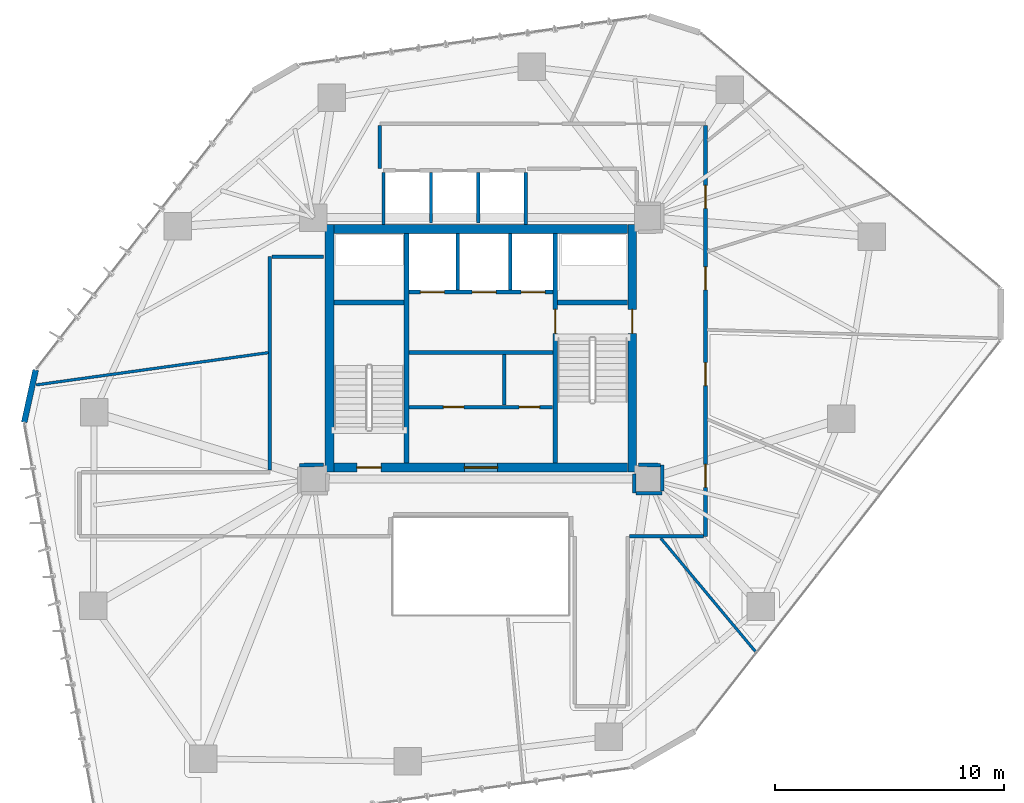
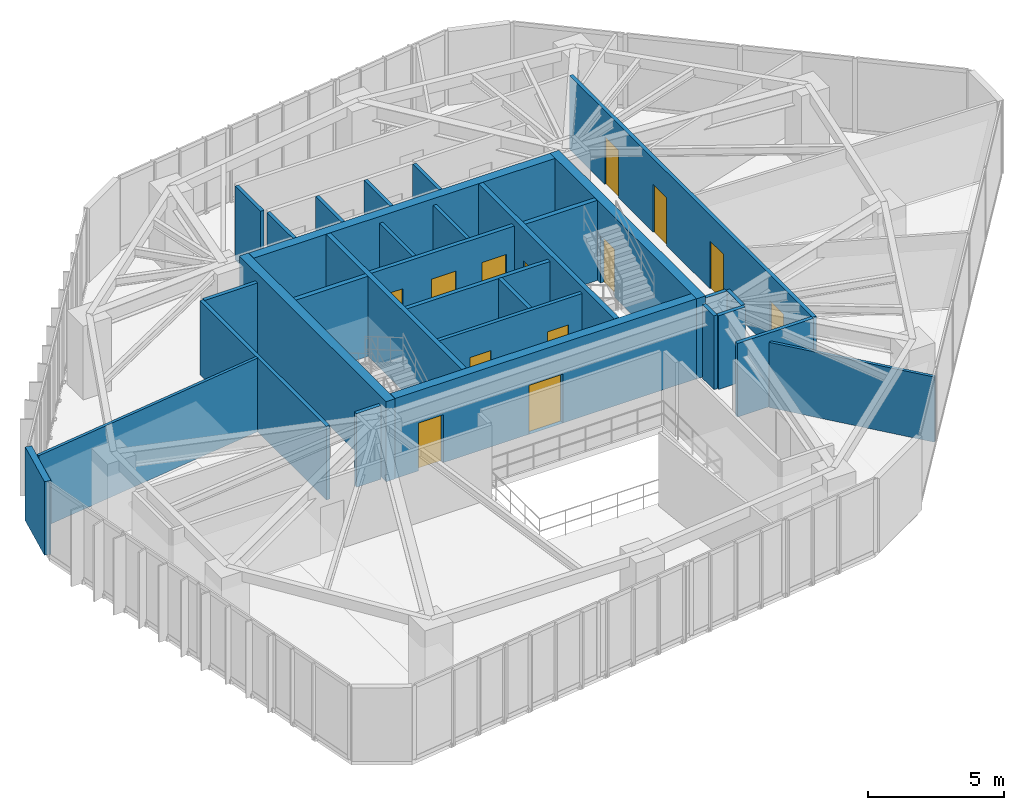
# One storey, part 19 of 24: 31 walls, 13 doors, 13 openings.
"""IFC4 building model written with IfcOpenShell, lengths in metres."""

from ifc_helpers import new_model, si_unit, direction, frame, frame_2d, origin, place, context, subcontext, project, spatial, rectangle, extrude, source, transform, mapped, material, layer, layer_set, type_object, type_shapes, element, fill, save


model = new_model("IFC4")

# Units and contexts
model_context = context("Model", 3, precision=1e-05, world=origin(), true_north=direction((0.0, 1.0)))
body_context = subcontext(model_context, "Body", "Model", "MODEL_VIEW")
ifc_project = project(units=[si_unit("LENGTHUNIT", "METRE"), si_unit("AREAUNIT", "SQUARE_METRE"), si_unit("VOLUMEUNIT", "CUBIC_METRE"), si_unit("PLANEANGLEUNIT", "RADIAN"), si_unit("MASSUNIT", "GRAM", prefix="KILO")], contexts=[model_context])

# Site, building, storey
site_placement = place(None, origin())
site = spatial("IfcSite", under=ifc_project, at=site_placement, CompositionType="ELEMENT")
building_placement = place(site_placement, origin())
building = spatial("IfcBuilding", under=site, at=building_placement, Name="Talar Marvaseh", CompositionType="ELEMENT")
storey_placement = place(building_placement, frame((0.0, 0.0, 114.60009765625)))
storey = spatial("IfcBuildingStorey", under=building, at=storey_placement, Name="L29", CompositionType="ELEMENT", Elevation=114.60009765625)

# Wall
ifc_material_1 = material(Name="Precast concrete C45/55", Category="concrete")
ifc_layer_1 = layer(ifc_material_1, 0.2548828125)
ifc_layer_set_1 = layer_set([ifc_layer_1], Name="Precast concrete C45/55")
wall_type_1 = type_object("IfcWallType", Name="Chamfered Hexagonal Corner Pier Wall Z2 255", PredefinedType="SOLIDWALL", material=ifc_layer_set_1)
wall_1_placement = place(storey_placement, frame((6.08837890625, 27.973876953125, 0.0), z_axis=(0.0, 0.0, 1.0), x_axis=(0.214234975256, 0.97678215349, 0.0)))
element("IfcWall", 1, at=wall_1_placement, inside=storey, type_object=wall_type_1, Name="L29 Chamfered Corner Limestone Pier 2", PredefinedType="SOLIDWALL", context=body_context, shape_type="SweptSolid", body=[
    extrude(rectangle(XDim=2.3408203125, YDim=0.2548828125, at=frame_2d((1.17041015625, 0.0))), origin(), (0.0, 0.0, 1.0), 3.309814453125),
])

# Wall, openings, doors
ifc_material_2 = material(Name="Gypsum Board Partition Assembly")
ifc_layer_2 = layer(ifc_material_2, 0.155029296875)
ifc_layer_set_2 = layer_set([ifc_layer_2], Name="Gypsum Board Partition Assembly")
wall_type_2 = type_object("IfcWallType", Name="Corridor Fire-Rated Acoustic Partition 155", PredefinedType="PARTITIONING", material=ifc_layer_set_2)
wall_2_placement = place(storey_placement, frame((22.865966796875, 28.639892578125, 0.0), z_axis=(0.0, 0.0, 1.0), x_axis=(1.0, 0.0, 0.0)))
wall_2 = element("IfcWall", 2, at=wall_2_placement, inside=storey, type_object=wall_type_2, Name="L29 Core BOH Partition", PredefinedType="PARTITIONING", context=body_context, shape_type="SweptSolid", body=[
    extrude(rectangle(XDim=6.26806640625, YDim=0.155029296875, at=frame_2d((3.134033203125, 0.0))), origin(), (0.0, 0.0, 1.0), 3.309814453125),
])
opening_1_placement = place(wall_2_placement, frame((1.5, 0.0, 0.0)))
opening_1 = element("IfcOpeningElement", 3, at=opening_1_placement, cuts=wall_2, Name="Opening DR-BOH090", PredefinedType="OPENING", context=body_context, shape_type="SweptSolid", body=[
    extrude(rectangle(XDim=0.89990234375, YDim=2.10009765625, at=frame_2d((0.449951171875, 1.050048828125))), frame((0.0, 0.08740234375, 0.0), z_axis=(0.0, -1.0, 0.0), x_axis=(1.0, 0.0, 0.0)), (0.0, 0.0, 1.0), 0.175048828125),
])
opening_2_placement = place(wall_2_placement, frame((4.800048828125, 0.0, 0.0)))
opening_2 = element("IfcOpeningElement", 4, at=opening_2_placement, cuts=wall_2, Name="Opening DR-BOH090", PredefinedType="OPENING", context=body_context, shape_type="SweptSolid", body=[
    extrude(rectangle(XDim=0.89990234375, YDim=2.10009765625, at=frame_2d((0.449951171875, 1.050048828125))), frame((0.0, 0.08740234375, 0.0), z_axis=(0.0, -1.0, 0.0), x_axis=(1.0, 0.0, 0.0)), (0.0, 0.0, 1.0), 0.175048828125),
])
ifc_material_3 = material(Name="Fire-Rated Steel Door Leaf", Category="steel")
door_type_1 = type_object("IfcDoorType", Name="Core Back-of-House Service Door 900x2100", OperationType="NOTDEFINED", PredefinedType="DOOR", material=ifc_material_3)
shared_shape_1 = source(origin(), body_context, "Body", "SweptSolid", [
    extrude(rectangle(XDim=0.89990234375, YDim=2.10009765625, at=frame_2d((0.449951171875, 1.050048828125))), frame((0.0, 0.02490234375, 0.0), z_axis=(0.0, -1.0, 0.0), x_axis=(1.0, 0.0, 0.0)), (0.0, 0.0, 1.0), 0.050048828125),
])
type_shapes(door_type_1, [shared_shape_1])
door_1_placement = place(opening_1_placement, origin())
door_1 = element("IfcDoor", 5, at=door_1_placement, inside=storey, type_object=door_type_1, Name="L29 Plant Core Comms Switch Room Door", OperationType="SINGLE_SWING_LEFT", OverallHeight=2.10009765625, OverallWidth=0.89990234375, PredefinedType="DOOR", context=body_context, shape_type="MappedRepresentation", body=[
    mapped(shared_shape_1, transform((0.0, 0.0, 0.0), x_axis=(1.0, 0.0, 0.0), y_axis=(0.0, 1.0, 0.0), z_axis=(0.0, 0.0, 1.0), scale=1.0)),
])
fill(opening_1, door_1)
door_2_placement = place(opening_2_placement, origin())
door_2 = element("IfcDoor", 6, at=door_2_placement, inside=storey, type_object=door_type_1, Name="L29 Cleaner Cupboard Door", OperationType="SINGLE_SWING_RIGHT", OverallHeight=2.10009765625, OverallWidth=0.89990234375, PredefinedType="DOOR", context=body_context, shape_type="MappedRepresentation", body=[
    mapped(shared_shape_1, transform((0.0, 0.0, 0.0), x_axis=(1.0, 0.0, 0.0), y_axis=(0.0, 1.0, 0.0), z_axis=(0.0, 0.0, 1.0), scale=1.0)),
])
fill(opening_2, door_2)

# Wall
wall_3_placement = place(storey_placement, frame((27.02001953125, 28.719970703125, 0.0), z_axis=(0.0, 0.0, 1.0), x_axis=(0.0, 1.0, 0.0)))
element("IfcWall", 7, at=wall_3_placement, inside=storey, type_object=wall_type_2, Name="L29 Core BOH Partition", PredefinedType="PARTITIONING", context=body_context, shape_type="SweptSolid", body=[
    extrude(rectangle(XDim=2.219970703125, YDim=0.155029296875, at=frame_2d((1.10986328125, 0.0))), origin(), (0.0, 0.0, 1.0), 3.309814453125),
])

# Wall, openings, doors
wall_4_placement = place(storey_placement, frame((35.800048828125, 40.91650390625, 0.0), z_axis=(0.0, 0.0, 1.0), x_axis=(0.0, -1.0, 0.0)))
wall_4 = element("IfcWall", 8, at=wall_4_placement, inside=storey, type_object=wall_type_2, Name="L29 Interior Partition Wall", PredefinedType="PARTITIONING", context=body_context, shape_type="SweptSolid", body=[
    extrude(rectangle(XDim=17.91650390625, YDim=0.155029296875, at=frame_2d((8.958251953125, 0.0))), origin(), (0.0, 0.0, 1.0), 3.309814453125),
])
opening_3_placement = place(wall_4_placement, frame((14.77587890625, 0.0, 0.0)))
opening_3 = element("IfcOpeningElement", 9, at=opening_3_placement, cuts=wall_4, Name="Opening DR-RM100", PredefinedType="OPENING", context=body_context, shape_type="SweptSolid", body=[
    extrude(rectangle(XDim=1.0, YDim=2.14990234375, at=frame_2d((0.5, 1.074951171875))), frame((0.0, 0.08740234375, 0.0), z_axis=(0.0, -1.0, 0.0), x_axis=(1.0, 0.0, 0.0)), (0.0, 0.0, 1.0), 0.175048828125),
])
opening_4_placement = place(wall_4_placement, frame((10.34521484375, 0.0, 0.0)))
opening_4 = element("IfcOpeningElement", 10, at=opening_4_placement, cuts=wall_4, Name="Opening DR-RM100", PredefinedType="OPENING", context=body_context, shape_type="SweptSolid", body=[
    extrude(rectangle(XDim=1.0, YDim=2.14990234375, at=frame_2d((0.5, 1.074951171875))), frame((0.0, 0.08740234375, 0.0), z_axis=(0.0, -1.0, 0.0), x_axis=(1.0, 0.0, 0.0)), (0.0, 0.0, 1.0), 0.175048828125),
])
opening_5_placement = place(wall_4_placement, frame((6.162841796875, 0.0, 0.0)))
opening_5 = element("IfcOpeningElement", 11, at=opening_5_placement, cuts=wall_4, Name="Opening DR-RM100", PredefinedType="OPENING", context=body_context, shape_type="SweptSolid", body=[
    extrude(rectangle(XDim=1.0, YDim=2.14990234375, at=frame_2d((0.5, 1.074951171875))), frame((0.0, 0.08740234375, 0.0), z_axis=(0.0, -1.0, 0.0), x_axis=(1.0, 0.0, 0.0)), (0.0, 0.0, 1.0), 0.175048828125),
])
opening_6_placement = place(wall_4_placement, frame((2.610595703125, 0.0, 0.0)))
opening_6 = element("IfcOpeningElement", 12, at=opening_6_placement, cuts=wall_4, Name="Opening DR-RM100", PredefinedType="OPENING", context=body_context, shape_type="SweptSolid", body=[
    extrude(rectangle(XDim=1.0, YDim=2.14990234375, at=frame_2d((0.5, 1.074951171875))), frame((0.0, 0.08740234375, 0.0), z_axis=(0.0, -1.0, 0.0), x_axis=(1.0, 0.0, 0.0)), (0.0, 0.0, 1.0), 0.175048828125),
])
ifc_material_4 = material(Name="Acoustic Engineered Oak Timber", Category="wood")
door_type_2 = type_object("IfcDoorType", Name="Corridor Fire-Rated Gallery Door 1000x2150", OperationType="NOTDEFINED", PredefinedType="DOOR", material=ifc_material_4)
shared_shape_2 = source(origin(), body_context, "Body", "SweptSolid", [
    extrude(rectangle(XDim=1.0, YDim=2.14990234375, at=frame_2d((0.5, 1.074951171875))), frame((0.0, 0.02490234375, 0.0), z_axis=(0.0, -1.0, 0.0), x_axis=(1.0, 0.0, 0.0)), (0.0, 0.0, 1.0), 0.050048828125),
])
type_shapes(door_type_2, [shared_shape_2])
door_3_placement = place(opening_3_placement, origin())
door_3 = element("IfcDoor", 13, at=door_3_placement, inside=storey, type_object=door_type_2, Name="L29 Archival Research Office Door", OperationType="SINGLE_SWING_RIGHT", OverallHeight=2.14990234375, OverallWidth=1.0, PredefinedType="DOOR", context=body_context, shape_type="MappedRepresentation", body=[
    mapped(shared_shape_2, transform((0.0, 0.0, 0.0), x_axis=(1.0, 0.0, 0.0), y_axis=(0.0, 1.0, 0.0), z_axis=(0.0, 0.0, 1.0), scale=1.0)),
])
fill(opening_3, door_3)
door_4_placement = place(opening_4_placement, origin())
door_4 = element("IfcDoor", 14, at=door_4_placement, inside=storey, type_object=door_type_2, Name="L29 Visitor Orientation Foyer Door", OperationType="SINGLE_SWING_LEFT", OverallHeight=2.14990234375, OverallWidth=1.0, PredefinedType="DOOR", context=body_context, shape_type="MappedRepresentation", body=[
    mapped(shared_shape_2, transform((0.0, 0.0, 0.0), x_axis=(1.0, 0.0, 0.0), y_axis=(0.0, 1.0, 0.0), z_axis=(0.0, 0.0, 1.0), scale=1.0)),
])
fill(opening_4, door_4)
door_5_placement = place(opening_5_placement, origin())
door_5 = element("IfcDoor", 15, at=door_5_placement, inside=storey, type_object=door_type_2, Name="L29 Cultural Fellowship Office Door", OperationType="SINGLE_SWING_RIGHT", OverallHeight=2.14990234375, OverallWidth=1.0, PredefinedType="DOOR", context=body_context, shape_type="MappedRepresentation", body=[
    mapped(shared_shape_2, transform((0.0, 0.0, 0.0), x_axis=(1.0, 0.0, 0.0), y_axis=(0.0, 1.0, 0.0), z_axis=(0.0, 0.0, 1.0), scale=1.0)),
])
fill(opening_5, door_5)
door_6_placement = place(opening_6_placement, origin())
door_6 = element("IfcDoor", 16, at=door_6_placement, inside=storey, type_object=door_type_2, Name="L29 Scholars' Registration Reception Door", OperationType="SINGLE_SWING_LEFT", OverallHeight=2.14990234375, OverallWidth=1.0, PredefinedType="DOOR", context=body_context, shape_type="MappedRepresentation", body=[
    mapped(shared_shape_2, transform((0.0, 0.0, 0.0), x_axis=(1.0, 0.0, 0.0), y_axis=(0.0, 1.0, 0.0), z_axis=(0.0, 0.0, 1.0), scale=1.0)),
])
fill(opening_6, door_6)

# Walls
wall_5_placement = place(storey_placement, frame((16.800048828125, 25.883544921875, 0.0), z_axis=(0.0, 0.0, 1.0), x_axis=(0.0, 1.0, 0.0)))
element("IfcWall", 17, at=wall_5_placement, inside=storey, type_object=wall_type_2, Name="L29 Interior Partition Wall", PredefinedType="PARTITIONING", context=body_context, shape_type="SweptSolid", body=[
    extrude(rectangle(XDim=9.31640625, YDim=0.155029296875, at=frame_2d((4.658203125, 0.0))), origin(), (0.0, 0.0, 1.0), 3.309814453125),
])
wall_6_placement = place(storey_placement, frame((16.883544921875, 35.199951171875, 0.0), z_axis=(0.0, 0.0, 1.0), x_axis=(1.0, 0.0, 0.0)))
element("IfcWall", 18, at=wall_6_placement, inside=storey, type_object=wall_type_2, Name="L29 Interior Partition Wall", PredefinedType="PARTITIONING", context=body_context, shape_type="SweptSolid", body=[
    extrude(rectangle(XDim=2.246337890625, YDim=0.155029296875, at=frame_2d((1.123046875, 0.0))), origin(), (0.0, 0.0, 1.0), 3.309814453125),
])
wall_7_placement = place(storey_placement, frame((19.1298828125, 26.114990234375, 0.0), z_axis=(0.0, 0.0, 1.0), x_axis=(-0.999986702653, -0.005156987215, 0.0)))
element("IfcWall", 19, at=wall_7_placement, inside=storey, type_object=wall_type_2, Name="L29 Interior Partition Wall", PredefinedType="PARTITIONING", context=body_context, shape_type="SweptSolid", body=[
    extrude(rectangle(XDim=1.04150390625, YDim=0.155029296875, at=frame_2d((0.520751953125, 0.0))), origin(), (0.0, 0.0, 1.0), 3.309814453125),
])
wall_8_placement = place(storey_placement, frame((32.68505859375, 25.72998046875, 0.0), z_axis=(0.0, 0.0, 1.0), x_axis=(0.006382231486, -0.999979633353, 0.0)))
element("IfcWall", 20, at=wall_8_placement, inside=storey, type_object=wall_type_2, Name="L29 Interior Partition Wall", PredefinedType="PARTITIONING", context=body_context, shape_type="SweptSolid", body=[
    extrude(rectangle(XDim=0.841552734375, YDim=0.155029296875, at=frame_2d((0.4208984375, 0.0))), origin(), (0.0, 0.0, 1.0), 3.309814453125),
])
wall_9_placement = place(storey_placement, frame((32.77392578125, 24.88818359375, 0.0), z_axis=(0.0, 0.0, 1.0), x_axis=(0.999999164303, -0.001292823742, 0.0)))
element("IfcWall", 21, at=wall_9_placement, inside=storey, type_object=wall_type_2, Name="L29 Interior Partition Wall", PredefinedType="PARTITIONING", context=body_context, shape_type="SweptSolid", body=[
    extrude(rectangle(XDim=1.133056640625, YDim=0.155029296875, at=frame_2d((0.56640625, 0.0))), origin(), (0.0, 0.0, 1.0), 3.309814453125),
])
wall_10_placement = place(storey_placement, frame((33.907470703125, 24.97021484375, 0.0), z_axis=(0.0, 0.0, 1.0), x_axis=(0.003642572792, 0.99999336581, 0.0)))
element("IfcWall", 22, at=wall_10_placement, inside=storey, type_object=wall_type_2, Name="L29 Interior Partition Wall", PredefinedType="PARTITIONING", context=body_context, shape_type="SweptSolid", body=[
    extrude(rectangle(XDim=1.139404296875, YDim=0.155029296875, at=frame_2d((0.56982421875, 0.0))), origin(), (0.0, 0.0, 1.0), 3.309814453125),
])
wall_11_placement = place(storey_placement, frame((33.828125, 26.110107421875, 0.0), z_axis=(0.0, 0.0, 1.0), x_axis=(-0.999987011364, 0.005096773758, 0.0)))
element("IfcWall", 23, at=wall_11_placement, inside=storey, type_object=wall_type_2, Name="L29 Interior Partition Wall", PredefinedType="PARTITIONING", context=body_context, shape_type="SweptSolid", body=[
    extrude(rectangle(XDim=0.9580078125, YDim=0.155029296875, at=frame_2d((0.47900390625, 0.0))), origin(), (0.0, 0.0, 1.0), 3.309814453125),
])
wall_12_placement = place(storey_placement, frame((21.60009765625, 39.0400390625, 0.0), z_axis=(0.0, 0.0, 1.0), x_axis=(0.0, 1.0, 0.0)))
element("IfcWall", 24, at=wall_12_placement, inside=storey, type_object=wall_type_2, Name="L29 Interior Partition Wall", PredefinedType="PARTITIONING", context=body_context, shape_type="SweptSolid", body=[
    extrude(rectangle(XDim=1.87646484375, YDim=0.155029296875, at=frame_2d((0.938232421875, 0.0))), origin(), (0.0, 0.0, 1.0), 3.309814453125),
])
wall_13_placement = place(storey_placement, frame((35.716552734375, 23.0, 0.0), z_axis=(0.0, 0.0, 1.0), x_axis=(-1.0, 0.0, 0.0)))
element("IfcWall", 25, at=wall_13_placement, inside=storey, type_object=wall_type_2, Name="L29 Interior Partition Wall", PredefinedType="PARTITIONING", context=body_context, shape_type="SweptSolid", body=[
    extrude(rectangle(XDim=3.233154296875, YDim=0.155029296875, at=frame_2d((1.61669921875, 0.0))), origin(), (0.0, 0.0, 1.0), 3.309814453125),
])
ifc_layer_3 = layer(ifc_material_2, 0.1201171875)
ifc_layer_set_3 = layer_set([ifc_layer_3], Name="Gypsum Board Partition Assembly")
wall_type_3 = type_object("IfcWallType", Name="Demountable Studio Room Partition 120", PredefinedType="PARTITIONING", material=ifc_layer_set_3)
wall_14_placement = place(storey_placement, frame((6.610107421875, 29.6044921875, 0.0), z_axis=(0.0, 0.0, 1.0), x_axis=(0.99048992278, 0.137585293078, 0.0)))
element("IfcWall", 26, at=wall_14_placement, inside=storey, type_object=wall_type_3, Name="L29 Interior Partition Wall", PredefinedType="PARTITIONING", context=body_context, shape_type="SweptSolid", body=[
    extrude(rectangle(XDim=10.22265625, YDim=0.1201171875, at=frame_2d((5.111328125, 0.0))), origin(), (0.0, 0.0, 1.0), 3.309814453125),
])
wall_15_placement = place(storey_placement, frame((33.849853515625, 22.91650390625, 0.0), z_axis=(0.0, 0.0, 1.0), x_axis=(0.641084622327, -0.767470199432, 0.0)))
element("IfcWall", 27, at=wall_15_placement, inside=storey, type_object=wall_type_3, Name="L29 Interior Partition Wall", PredefinedType="PARTITIONING", context=body_context, shape_type="SweptSolid", body=[
    extrude(rectangle(XDim=6.47900390625, YDim=0.1201171875, at=frame_2d((3.239501953125, 0.0))), origin(), (0.0, 0.0, 1.0), 2.927001953125),
])
ifc_layer_4 = layer(ifc_material_1, 0.14501953125)
ifc_layer_set_4 = layer_set([ifc_layer_4], Name="Precast concrete C45/55")
wall_type_4 = type_object("IfcWallType", Name="Fire-Rated Lift Divider Wall 145", PredefinedType="SOLIDWALL", material=ifc_layer_set_4)
for number, where, z_axis, x_axis, name in (
    (28, (25.0, 33.743408203125, 0.0), (0.0, 0.0, 1.0), (0.0, 1.0, 0.0), "L29 FFL-1/FFL-2 Divider"),
    (29, (27.280029296875, 33.743408203125, 0.0), (0.0, 0.0, 1.0), (0.0, 1.0, 0.0), "L29 FFL-2/SVL-1 Divider"),
):
    element("IfcWall", number, at=place(storey_placement, frame(where, z_axis=z_axis, x_axis=x_axis)), inside=storey, type_object=wall_type_4, Name=name, PredefinedType="SOLIDWALL", context=body_context, shape_type="SweptSolid", body=[
        extrude(rectangle(XDim=2.45654296875, YDim=0.14501953125, at=frame_2d((1.228271484375, 0.0))), origin(), (0.0, 0.0, 1.0), 3.309814453125),
    ])
for number, where, z_axis, x_axis, name in (
    (30, (21.760009765625, 36.60009765625, 0.0), (0.0, 0.0, 1.0), (0.0, 1.0, 0.0), "L29 Low-Rise Bank West Wall"),
    (31, (27.9599609375, 36.60009765625, 0.0), (0.0, 0.0, 1.0), (0.0, 1.0, 0.0), "L29 Low-Rise Bank East Wall"),
):
    element("IfcWall", number, at=place(storey_placement, frame(where, z_axis=z_axis, x_axis=x_axis)), inside=storey, type_object=wall_type_4, Name=name, PredefinedType="SOLIDWALL", context=body_context, shape_type="SweptSolid", body=[
        extrude(rectangle(XDim=2.266357421875, YDim=0.14501953125, at=frame_2d((1.13330078125, 0.0))), origin(), (0.0, 0.0, 1.0), 3.309814453125),
    ])
for number, where, z_axis, x_axis, name in (
    (32, (23.830078125, 36.659912109375, 0.0), (0.0, 0.0, 1.0), (0.0, 1.0, 0.0), "L29 PL-L1/PL-L2 Divider"),
    (33, (25.889892578125, 36.659912109375, 0.0), (0.0, 0.0, 1.0), (0.0, 1.0, 0.0), "L29 PL-L2/PL-L3 Divider"),
):
    element("IfcWall", number, at=place(storey_placement, frame(where, z_axis=z_axis, x_axis=x_axis)), inside=storey, type_object=wall_type_4, Name=name, PredefinedType="SOLIDWALL", context=body_context, shape_type="SweptSolid", body=[
        extrude(rectangle(XDim=2.20654296875, YDim=0.14501953125, at=frame_2d((1.103271484375, 0.0))), origin(), (0.0, 0.0, 1.0), 3.309814453125),
    ])

# Wall, openings, doors
ifc_layer_5 = layer(ifc_material_1, 0.175048828125)
ifc_layer_set_5 = layer_set([ifc_layer_5], Name="Precast concrete C45/55")
wall_type_5 = type_object("IfcWallType", Name="Fire-Rated Lift Hoistway Enclosure Wall 175", PredefinedType="SOLIDWALL", material=ifc_layer_set_5)
wall_16_placement = place(storey_placement, frame((22.860107421875, 33.64990234375, 0.0), z_axis=(0.0, 0.0, 1.0), x_axis=(1.0, 0.0, 0.0)))
wall_16 = element("IfcWall", 34, at=wall_16_placement, inside=storey, type_object=wall_type_5, Name="L29 Firefighting and Service Lift Front Wall", PredefinedType="SOLIDWALL", context=body_context, shape_type="SweptSolid", body=[
    extrude(rectangle(XDim=6.27978515625, YDim=0.175048828125, at=frame_2d((3.139892578125, 0.0))), origin(), (0.0, 0.0, 1.0), 3.309814453125),
])
opening_7_placement = place(wall_16_placement, frame((0.5, 0.0, 0.0)))
opening_7 = element("IfcOpeningElement", 35, at=opening_7_placement, cuts=wall_16, Name="Opening LD-FF1", PredefinedType="OPENING", context=body_context, shape_type="SweptSolid", body=[
    extrude(rectangle(XDim=1.050048828125, YDim=2.14990234375, at=frame_2d((0.52490234375, 1.074951171875))), frame((0.0, 0.09765625, 0.0), z_axis=(0.0, -1.0, 0.0), x_axis=(1.0, 0.0, 0.0)), (0.0, 0.0, 1.0), 0.195068359375),
])
opening_8_placement = place(wall_16_placement, frame((2.760009765625, 0.0, 0.0)))
opening_8 = element("IfcOpeningElement", 36, at=opening_8_placement, cuts=wall_16, Name="Opening LD-FF2", PredefinedType="OPENING", context=body_context, shape_type="SweptSolid", body=[
    extrude(rectangle(XDim=1.050048828125, YDim=2.14990234375, at=frame_2d((0.52490234375, 1.074951171875))), frame((0.0, 0.09765625, 0.0), z_axis=(0.0, -1.0, 0.0), x_axis=(1.0, 0.0, 0.0)), (0.0, 0.0, 1.0), 0.195068359375),
])
opening_9_placement = place(wall_16_placement, frame((4.89990234375, 0.0, 0.0)))
opening_9 = element("IfcOpeningElement", 37, at=opening_9_placement, cuts=wall_16, Name="Opening LD-SV1", PredefinedType="OPENING", context=body_context, shape_type="SweptSolid", body=[
    extrude(rectangle(XDim=1.050048828125, YDim=2.14990234375, at=frame_2d((0.52490234375, 1.074951171875))), frame((0.0, 0.09765625, 0.0), z_axis=(0.0, -1.0, 0.0), x_axis=(1.0, 0.0, 0.0)), (0.0, 0.0, 1.0), 0.195068359375),
])
ifc_material_5 = material(Name="Stainless Steel Grade 316", Category="steel")
door_type_3 = type_object("IfcDoorType", Name="Automatic Sliding Lift Landing Door 1050x2150", OperationType="NOTDEFINED", PredefinedType="DOOR", material=ifc_material_5)
shared_shape_3 = source(origin(), body_context, "Body", "SweptSolid", [
    extrude(rectangle(XDim=1.050048828125, YDim=2.14990234375, at=frame_2d((0.52490234375, 1.074951171875))), frame((0.0, 0.02490234375, 0.0), z_axis=(0.0, -1.0, 0.0), x_axis=(1.0, 0.0, 0.0)), (0.0, 0.0, 1.0), 0.050048828125),
])
type_shapes(door_type_3, [shared_shape_3])
door_7_placement = place(opening_7_placement, origin())
door_7 = element("IfcDoor", 38, at=door_7_placement, inside=storey, type_object=door_type_3, Name="L29 Lift FFL-1 Sliding Landing Door", OperationType="SLIDING_TO_LEFT", OverallHeight=2.14990234375, OverallWidth=1.050048828125, PredefinedType="DOOR", context=body_context, shape_type="MappedRepresentation", body=[
    mapped(shared_shape_3, transform((0.0, 0.0, 0.0), x_axis=(1.0, 0.0, 0.0), y_axis=(0.0, 1.0, 0.0), z_axis=(0.0, 0.0, 1.0), scale=1.0)),
])
fill(opening_7, door_7)
door_8_placement = place(opening_8_placement, origin())
door_8 = element("IfcDoor", 39, at=door_8_placement, inside=storey, type_object=door_type_3, Name="L29 Lift FFL-2 Sliding Landing Door", OperationType="SLIDING_TO_LEFT", OverallHeight=2.14990234375, OverallWidth=1.050048828125, PredefinedType="DOOR", context=body_context, shape_type="MappedRepresentation", body=[
    mapped(shared_shape_3, transform((0.0, 0.0, 0.0), x_axis=(1.0, 0.0, 0.0), y_axis=(0.0, 1.0, 0.0), z_axis=(0.0, 0.0, 1.0), scale=1.0)),
])
fill(opening_8, door_8)
door_9_placement = place(opening_9_placement, origin())
door_9 = element("IfcDoor", 40, at=door_9_placement, inside=storey, type_object=door_type_3, Name="L29 Lift SVL-1 Sliding Landing Door", OperationType="SLIDING_TO_LEFT", OverallHeight=2.14990234375, OverallWidth=1.050048828125, PredefinedType="DOOR", context=body_context, shape_type="MappedRepresentation", body=[
    mapped(shared_shape_3, transform((0.0, 0.0, 0.0), x_axis=(1.0, 0.0, 0.0), y_axis=(0.0, 1.0, 0.0), z_axis=(0.0, 0.0, 1.0), scale=1.0)),
])
fill(opening_9, door_9)

# Walls
wall_17_placement = place(storey_placement, frame((22.860107421875, 31.02001953125, 0.0), z_axis=(0.0, 0.0, 1.0), x_axis=(1.0, 0.0, 0.0)))
element("IfcWall", 41, at=wall_17_placement, inside=storey, type_object=wall_type_5, Name="L29 Firefighting Lobby South Smoke Wall", PredefinedType="SOLIDWALL", context=body_context, shape_type="SweptSolid", body=[
    extrude(rectangle(XDim=6.27978515625, YDim=0.175048828125, at=frame_2d((3.139892578125, 0.0))), origin(), (0.0, 0.0, 1.0), 3.309814453125),
])
ifc_material_6 = material(Name="Concrete C60/75", Category="concrete")
ifc_layer_6 = layer(ifc_material_6, 0.3798828125)
ifc_layer_set_6 = layer_set([ifc_layer_6], Name="Concrete C60/75")
wall_type_6 = type_object("IfcWallType", Name="Mid Core Reinforced Concrete Shear Wall 380", PredefinedType="SHEAR", material=ifc_layer_set_6)
wall_18_placement = place(storey_placement, frame((19.39990234375, 25.800048828125, 0.0), z_axis=(0.0, 0.0, 1.0), x_axis=(0.0, 1.0, 0.0)))
element("IfcWall", 42, at=wall_18_placement, inside=storey, type_object=wall_type_6, Name="L29 West Core Shear Wall", PredefinedType="SHEAR", context=body_context, shape_type="SweptSolid", body=[
    extrude(rectangle(XDim=10.800048828125, YDim=0.3798828125, at=frame_2d((5.39990234375, 0.0))), origin(), (0.0, 0.0, 1.0), 3.599853515625),
])

# Wall, opening, door
wall_19_placement = place(storey_placement, frame((32.60009765625, 36.60009765625, 0.0), z_axis=(0.0, 0.0, 1.0), x_axis=(0.0, -1.0, 0.0)))
wall_19 = element("IfcWall", 43, at=wall_19_placement, inside=storey, type_object=wall_type_6, Name="L29 East Core Shear Wall", PredefinedType="SHEAR", context=body_context, shape_type="SweptSolid", body=[
    extrude(rectangle(XDim=10.800048828125, YDim=0.3798828125, at=frame_2d((5.39990234375, 0.0))), origin(), (0.0, 0.0, 1.0), 3.599853515625),
])
opening_10_placement = place(wall_19_placement, frame((3.699951171875, 0.0, 0.0)))
opening_10 = element("IfcOpeningElement", 44, at=opening_10_placement, cuts=wall_19, Name="Opening DR-ST105", PredefinedType="OPENING", context=body_context, shape_type="SweptSolid", body=[
    extrude(rectangle(XDim=1.050048828125, YDim=2.14990234375, at=frame_2d((0.52490234375, 1.074951171875))), frame((0.0, 0.199951171875, 0.0), z_axis=(0.0, -1.0, 0.0), x_axis=(1.0, 0.0, 0.0)), (0.0, 0.0, 1.0), 0.39990234375),
])
door_type_4 = type_object("IfcDoorType", Name="Protected Exit Stair Fire Door 1050x2150", OperationType="NOTDEFINED", PredefinedType="DOOR", material=ifc_material_3)
shared_shape_4 = source(origin(), body_context, "Body", "SweptSolid", [
    extrude(rectangle(XDim=1.050048828125, YDim=2.14990234375, at=frame_2d((0.52490234375, 1.074951171875))), frame((0.0, 0.02490234375, 0.0), z_axis=(0.0, -1.0, 0.0), x_axis=(1.0, 0.0, 0.0)), (0.0, 0.0, 1.0), 0.050048828125),
])
type_shapes(door_type_4, [shared_shape_4])
door_10_placement = place(opening_10_placement, origin())
door_10 = element("IfcDoor", 45, at=door_10_placement, inside=storey, type_object=door_type_4, Name="L29 Stair ST-2 Corridor Exit Door", OperationType="SINGLE_SWING_LEFT", OverallHeight=2.14990234375, OverallWidth=1.050048828125, PredefinedType="DOOR", context=body_context, shape_type="MappedRepresentation", body=[
    mapped(shared_shape_4, transform((0.0, 0.0, 0.0), x_axis=(1.0, 0.0, 0.0), y_axis=(0.0, 1.0, 0.0), z_axis=(0.0, 0.0, 1.0), scale=1.0)),
])
fill(opening_10, door_10)

# Wall
wall_20_placement = place(storey_placement, frame((19.60009765625, 36.39990234375, 0.0), z_axis=(0.0, 0.0, 1.0), x_axis=(1.0, 0.0, 0.0)))
element("IfcWall", 46, at=wall_20_placement, inside=storey, type_object=wall_type_6, Name="L29 North Core Shear Wall", PredefinedType="SHEAR", context=body_context, shape_type="SweptSolid", body=[
    extrude(rectangle(XDim=12.7998046875, YDim=0.3798828125, at=frame_2d((6.39990234375, 0.0))), origin(), (0.0, 0.0, 1.0), 3.599853515625),
])

# Wall, openings, doors
wall_21_placement = place(storey_placement, frame((32.39990234375, 26.0, 0.0), z_axis=(0.0, 0.0, 1.0), x_axis=(-1.0, 0.0, 0.0)))
wall_21 = element("IfcWall", 47, at=wall_21_placement, inside=storey, type_object=wall_type_6, Name="L29 South Core Shear Wall", PredefinedType="SHEAR", context=body_context, shape_type="SweptSolid", body=[
    extrude(rectangle(XDim=12.7998046875, YDim=0.3798828125, at=frame_2d((6.39990234375, 0.0))), origin(), (0.0, 0.0, 1.0), 3.599853515625),
])
opening_11_placement = place(wall_21_placement, frame((10.75, 0.0, 0.0)))
opening_11 = element("IfcOpeningElement", 48, at=opening_11_placement, cuts=wall_21, Name="Opening DR-ST105", PredefinedType="OPENING", context=body_context, shape_type="SweptSolid", body=[
    extrude(rectangle(XDim=1.050048828125, YDim=2.14990234375, at=frame_2d((0.52490234375, 1.074951171875))), frame((0.0, 0.199951171875, 0.0), z_axis=(0.0, -1.0, 0.0), x_axis=(1.0, 0.0, 0.0)), (0.0, 0.0, 1.0), 0.39990234375),
])
opening_12_placement = place(wall_21_placement, frame((5.669921875, 0.0, 0.0)))
opening_12 = element("IfcOpeningElement", 49, at=opening_12_placement, cuts=wall_21, Name="Opening DR-LBY145", PredefinedType="OPENING", context=body_context, shape_type="SweptSolid", body=[
    extrude(rectangle(XDim=1.449951171875, YDim=2.199951171875, at=frame_2d((0.72509765625, 1.10009765625))), frame((0.0, 0.199951171875, 0.0), z_axis=(0.0, -1.0, 0.0), x_axis=(1.0, 0.0, 0.0)), (0.0, 0.0, 1.0), 0.39990234375),
])
door_11_placement = place(opening_11_placement, origin())
door_11 = element("IfcDoor", 50, at=door_11_placement, inside=storey, type_object=door_type_4, Name="L29 Stair ST-1 Exit Door", OperationType="SINGLE_SWING_RIGHT", OverallHeight=2.14990234375, OverallWidth=1.050048828125, PredefinedType="DOOR", context=body_context, shape_type="MappedRepresentation", body=[
    mapped(shared_shape_4, transform((0.0, 0.0, 0.0), x_axis=(1.0, 0.0, 0.0), y_axis=(0.0, 1.0, 0.0), z_axis=(0.0, 0.0, 1.0), scale=1.0)),
])
fill(opening_11, door_11)
door_type_5 = type_object("IfcDoorType", Name="Core Lift Lobby Double Smoke Door 1450x2200", OperationType="NOTDEFINED", PredefinedType="DOOR", material=ifc_material_3)
shared_shape_5 = source(origin(), body_context, "Body", "SweptSolid", [
    extrude(rectangle(XDim=1.449951171875, YDim=2.199951171875, at=frame_2d((0.72509765625, 1.10009765625))), frame((0.0, 0.02490234375, 0.0), z_axis=(0.0, -1.0, 0.0), x_axis=(1.0, 0.0, 0.0)), (0.0, 0.0, 1.0), 0.050048828125),
])
type_shapes(door_type_5, [shared_shape_5])
door_12_placement = place(opening_12_placement, origin())
door_12 = element("IfcDoor", 51, at=door_12_placement, inside=storey, type_object=door_type_5, Name="L29 Passenger Lift Lobby Entrance Door", OperationType="DOUBLE_DOOR_SINGLE_SWING", OverallHeight=2.199951171875, OverallWidth=1.449951171875, PredefinedType="DOOR", context=body_context, shape_type="MappedRepresentation", body=[
    mapped(shared_shape_5, transform((0.0, 0.0, 0.0), x_axis=(1.0, 0.0, 0.0), y_axis=(0.0, 1.0, 0.0), z_axis=(0.0, 0.0, 1.0), scale=1.0)),
])
fill(opening_12, door_12)

# Wall
ifc_material_7 = material(Name="Concrete C50/60", Category="concrete")
ifc_layer_7 = layer(ifc_material_7, 0.199951171875)
ifc_layer_set_7 = layer_set([ifc_layer_7], Name="Concrete C50/60")
wall_type_7 = type_object("IfcWallType", Name="Stair Shaft Structural Concrete Shear Wall 200", PredefinedType="SHEAR", material=ifc_layer_set_7)
wall_22_placement = place(storey_placement, frame((22.760009765625, 26.199951171875, 0.0), z_axis=(0.0, 0.0, 1.0), x_axis=(0.0, 1.0, 0.0)))
element("IfcWall", 52, at=wall_22_placement, inside=storey, type_object=wall_type_7, Name="L29 Core West Stair Shear Wall", PredefinedType="SHEAR", context=body_context, shape_type="SweptSolid", body=[
    extrude(rectangle(XDim=10.0, YDim=0.199951171875, at=frame_2d((5.0, 0.0))), origin(), (0.0, 0.0, 1.0), 3.599853515625),
])

# Wall, opening, door
wall_23_placement = place(storey_placement, frame((29.239990234375, 26.199951171875, 0.0), z_axis=(0.0, 0.0, 1.0), x_axis=(0.0, 1.0, 0.0)))
wall_23 = element("IfcWall", 53, at=wall_23_placement, inside=storey, type_object=wall_type_7, Name="L29 Core East Stair Shear Wall", PredefinedType="SHEAR", context=body_context, shape_type="SweptSolid", body=[
    extrude(rectangle(XDim=10.0, YDim=0.199951171875, at=frame_2d((5.0, 0.0))), origin(), (0.0, 0.0, 1.0), 3.599853515625),
])
opening_13_placement = place(wall_23_placement, frame((5.64990234375, 0.0, 0.0)))
opening_13 = element("IfcOpeningElement", 54, at=opening_13_placement, cuts=wall_23, Name="Opening DR-ST105", PredefinedType="OPENING", context=body_context, shape_type="SweptSolid", body=[
    extrude(rectangle(XDim=1.050048828125, YDim=2.14990234375, at=frame_2d((0.52490234375, 1.074951171875))), frame((0.0, 0.10986328125, 0.0), z_axis=(0.0, -1.0, 0.0), x_axis=(1.0, 0.0, 0.0)), (0.0, 0.0, 1.0), 0.219970703125),
])
door_13_placement = place(opening_13_placement, origin())
door_13 = element("IfcDoor", 55, at=door_13_placement, inside=storey, type_object=door_type_4, Name="L29 Firefighting Lobby to Stair ST-2 Door", OperationType="SINGLE_SWING_LEFT", OverallHeight=2.14990234375, OverallWidth=1.050048828125, PredefinedType="DOOR", context=body_context, shape_type="MappedRepresentation", body=[
    mapped(shared_shape_4, transform((0.0, 0.0, 0.0), x_axis=(1.0, 0.0, 0.0), y_axis=(0.0, 1.0, 0.0), z_axis=(0.0, 0.0, 1.0), scale=1.0)),
])
fill(opening_13, door_13)

# Walls
for number, where, z_axis, x_axis, name in (
    (56, (19.60009765625, 33.199951171875, 0.0), (0.0, 0.0, 1.0), (1.0, 0.0, 0.0), "L29 Stair ST-1 North Shear Wall"),
    (57, (29.340087890625, 33.199951171875, 0.0), (0.0, 0.0, 1.0), (1.0, 0.0, 0.0), "L29 Stair ST-2 North Shear Wall"),
):
    element("IfcWall", number, at=place(storey_placement, frame(where, z_axis=z_axis, x_axis=x_axis)), inside=storey, type_object=wall_type_7, Name=name, PredefinedType="SHEAR", context=body_context, shape_type="SweptSolid", body=[
        extrude(rectangle(XDim=3.059814453125, YDim=0.199951171875, at=frame_2d((1.52978515625, 0.0))), origin(), (0.0, 0.0, 1.0), 3.599853515625),
    ])

save(model, "model.ifc")
